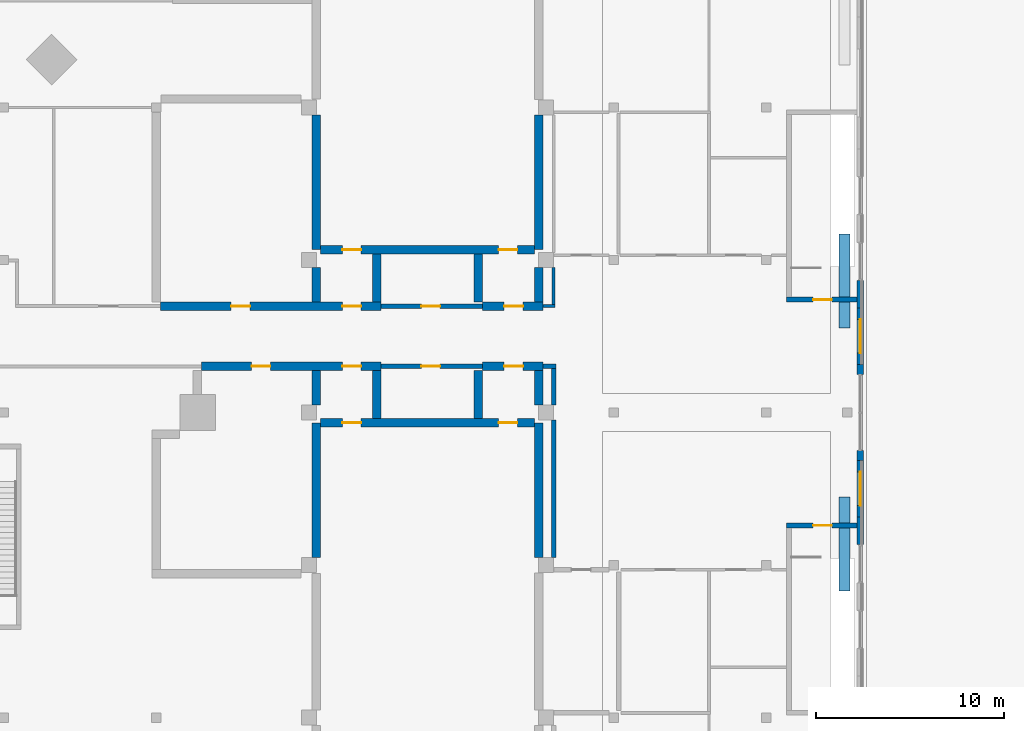
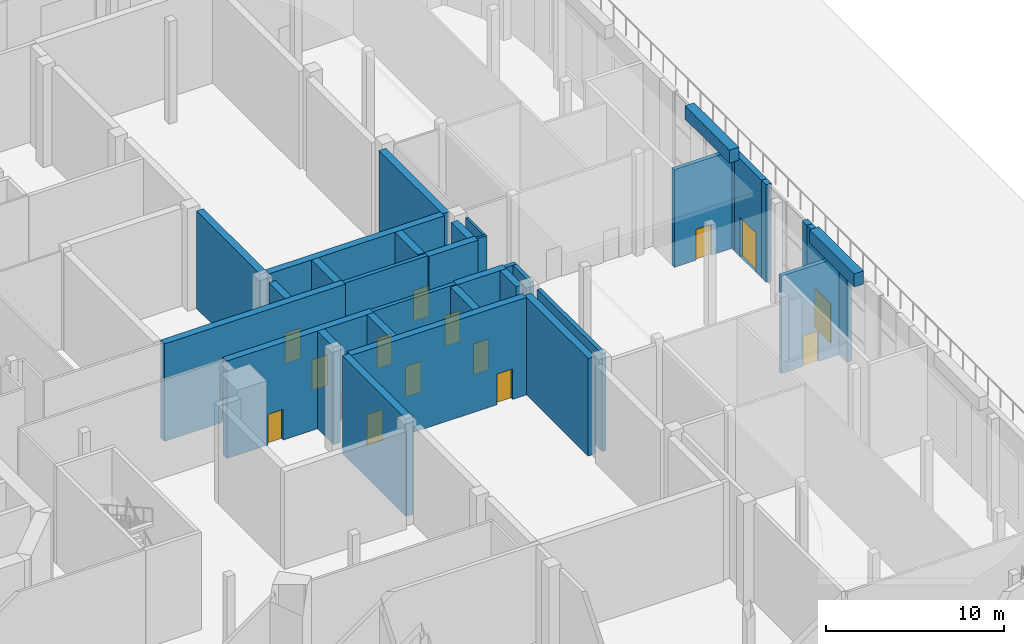
# One storey, part 13 of 21: 35 walls, 16 doors, 16 openings.
"""IFC4 building model written with IfcOpenShell, lengths in metres."""

from ifc_helpers import new_model, si_unit, direction, frame, frame_2d, origin, place, context, subcontext, project, spatial, rectangle, extrude, material, layer, layer_set, type_object, element, fill, save


model = new_model("IFC4")

# Units and contexts
model_context = context("Model", 3, precision=1e-05, world=origin(), true_north=direction((0.0, 1.0)))
body_context = subcontext(model_context, "Body", "Model", "MODEL_VIEW")
ifc_project = project(units=[si_unit("LENGTHUNIT", "METRE"), si_unit("AREAUNIT", "SQUARE_METRE"), si_unit("VOLUMEUNIT", "CUBIC_METRE"), si_unit("PLANEANGLEUNIT", "RADIAN"), si_unit("MASSUNIT", "GRAM", prefix="KILO")], contexts=[model_context])

# Site, building, storey
site_placement = place(None, origin())
site = spatial("IfcSite", under=ifc_project, at=site_placement, CompositionType="ELEMENT")
building_placement = place(site_placement, origin())
building = spatial("IfcBuilding", under=site, at=building_placement, Name="Torre Triforio", CompositionType="ELEMENT")
storey_placement = place(building_placement, frame((0.0, 0.0, 6.0)))
storey = spatial("IfcBuildingStorey", under=building, at=storey_placement, Name="L01", CompositionType="ELEMENT", Elevation=6.0)

# Walls
ifc_material_1 = material(Name="Plasterboard on metal studs")
ifc_layer_1 = layer(ifc_material_1, 0.14990234375)
ifc_layer_set_1 = layer_set([ifc_layer_1], Name="Plasterboard on metal studs")
wall_type_1 = type_object("IfcWallType", Name="Corridor wall 150 EI 60", PredefinedType="PARTITIONING", material=ifc_layer_set_1)
wall_1_placement = place(storey_placement, frame((44.824951171875, 5.64990234375, 0.0), z_axis=(0.0, 0.0, 1.0), x_axis=(1.0, 0.0, 0.0)))
element("IfcWall", 1, at=wall_1_placement, inside=storey, type_object=wall_type_1, Name="Corridor wall L01 073", PredefinedType="PARTITIONING", context=body_context, shape_type="SweptSolid", body=[
    extrude(rectangle(XDim=0.650146484375, YDim=0.14990234375, at=frame_2d((0.3251953125, 0.0))), origin(), (0.0, 0.0, 1.0), 6.679931640625),
])
wall_2_placement = place(storey_placement, frame((45.39990234375, 5.72509765625, 0.0), z_axis=(0.0, 0.0, 1.0), x_axis=(0.0, 1.0, 0.0)))
element("IfcWall", 2, at=wall_2_placement, inside=storey, type_object=wall_type_1, Name="Corridor wall L01 112", PredefinedType="PARTITIONING", context=body_context, shape_type="SweptSolid", body=[
    extrude(rectangle(XDim=1.96484375, YDim=0.14990234375, at=frame_2d((0.982421875, 0.0))), origin(), (0.0, 0.0, 1.0), 6.679931640625),
])

# Wall, opening, door
ifc_material_2 = material(Name="Masonry block", Category="masonry")
ifc_layer_2 = layer(ifc_material_2, 0.25)
ifc_layer_set_2 = layer_set([ifc_layer_2], Name="Masonry block")
wall_type_2 = type_object("IfcWallType", Name="Plant room wall 250 EI 120", PredefinedType="PARTITIONING", material=ifc_layer_set_2)
wall_3_placement = place(storey_placement, frame((36.22509765625, 5.64990234375, 0.0), z_axis=(0.0, 0.0, 1.0), x_axis=(1.0, 0.0, 0.0)))
wall_3 = element("IfcWall", 3, at=wall_3_placement, inside=storey, type_object=wall_type_2, Name="Plant room wall L01 015", PredefinedType="PARTITIONING", context=body_context, shape_type="SweptSolid", body=[
    extrude(rectangle(XDim=5.39990234375, YDim=0.25, at=frame_2d((2.699951171875, 0.0))), origin(), (0.0, 0.0, 1.0), 6.679931640625),
])
opening_1_placement = place(wall_3_placement, frame((2.14990234375, 0.0, 0.0)))
opening_1 = element("IfcOpeningElement", 4, at=opening_1_placement, cuts=wall_3, Name="Opening P1-15", PredefinedType="OPENING", context=body_context, shape_type="SweptSolid", body=[
    extrude(rectangle(XDim=1.0, YDim=2.10009765625, at=frame_2d((0.5, 1.050048828125))), frame((0.0, 0.135009765625, 0.0), z_axis=(0.0, -1.0, 0.0), x_axis=(1.0, 0.0, 0.0)), (0.0, 0.0, 1.0), 0.27001953125),
])
ifc_material_3 = material(Name="Hollow metal fire door leaf")
door_type_1 = type_object("IfcDoorType", Name="Fire door 1000 x 2100 EI 60", OperationType="NOTDEFINED", PredefinedType="DOOR", material=ifc_material_3)
door_1_placement = place(opening_1_placement, origin())
door_1 = element("IfcDoor", 5, at=door_1_placement, inside=storey, type_object=door_type_1, Name="Door P1-15", OperationType="SINGLE_SWING_LEFT", OverallHeight=2.10009765625, OverallWidth=1.0, PredefinedType="DOOR", context=body_context, shape_type="SweptSolid", body=[
    extrude(rectangle(XDim=1.0, YDim=2.10009765625, at=frame_2d((0.5, 1.050048828125))), frame((0.0, 0.02490234375, 0.0), z_axis=(0.0, -1.0, 0.0), x_axis=(1.0, 0.0, 0.0)), (0.0, 0.0, 1.0), 0.050048828125),
])
fill(opening_1, door_1)

wall_4_placement = place(storey_placement, frame((36.22509765625, 2.449951171875, 0.0), z_axis=(0.0, 0.0, 1.0), x_axis=(1.0, 0.0, 0.0)))
wall_4 = element("IfcWall", 6, at=wall_4_placement, inside=storey, type_object=wall_type_2, Name="Plant room wall L01 018", PredefinedType="PARTITIONING", context=body_context, shape_type="SweptSolid", body=[
    extrude(rectangle(XDim=5.39990234375, YDim=0.25, at=frame_2d((2.699951171875, 0.0))), origin(), (0.0, 0.0, 1.0), 6.679931640625),
])
opening_2_placement = place(wall_4_placement, frame((2.14990234375, 0.0, 0.0)))
opening_2 = element("IfcOpeningElement", 7, at=opening_2_placement, cuts=wall_4, Name="Opening P1-16", PredefinedType="OPENING", context=body_context, shape_type="SweptSolid", body=[
    extrude(rectangle(XDim=1.0, YDim=2.10009765625, at=frame_2d((0.5, 1.050048828125))), frame((0.0, 0.135009765625, 0.0), z_axis=(0.0, -1.0, 0.0), x_axis=(1.0, 0.0, 0.0)), (0.0, 0.0, 1.0), 0.27001953125),
])
door_2_placement = place(opening_2_placement, origin())
door_2 = element("IfcDoor", 8, at=door_2_placement, inside=storey, type_object=door_type_1, Name="Door P1-16", OperationType="SINGLE_SWING_LEFT", OverallHeight=2.10009765625, OverallWidth=1.0, PredefinedType="DOOR", context=body_context, shape_type="SweptSolid", body=[
    extrude(rectangle(XDim=1.0, YDim=2.10009765625, at=frame_2d((0.5, 1.050048828125))), frame((0.0, 0.02490234375, 0.0), z_axis=(0.0, -1.0, 0.0), x_axis=(1.0, 0.0, 0.0)), (0.0, 0.0, 1.0), 0.050048828125),
])
fill(opening_2, door_2)

# Walls
wall_5_placement = place(storey_placement, frame((44.824951171875, 2.449951171875, 0.0), z_axis=(0.0, 0.0, 1.0), x_axis=(1.0, 0.0, 0.0)))
element("IfcWall", 9, at=wall_5_placement, inside=storey, type_object=wall_type_2, Name="Plant room wall L01 021", PredefinedType="PARTITIONING", context=body_context, shape_type="SweptSolid", body=[
    extrude(rectangle(XDim=0.699951171875, YDim=0.25, at=frame_2d((0.35009765625, 0.0))), origin(), (0.0, 0.0, 1.0), 6.679931640625),
])
wall_6_placement = place(storey_placement, frame((45.39990234375, -7.68994140625, 0.0), z_axis=(0.0, 0.0, 1.0), x_axis=(0.0, 1.0, 0.0)))
element("IfcWall", 10, at=wall_6_placement, inside=storey, type_object=wall_type_2, Name="Plant room wall L01 024", PredefinedType="PARTITIONING", context=body_context, shape_type="SweptSolid", body=[
    extrude(rectangle(XDim=7.280029296875, YDim=0.25, at=frame_2d((3.64013671875, 0.0))), origin(), (0.0, 0.0, 1.0), 6.679931640625),
])
wall_7_placement = place(storey_placement, frame((45.39990234375, 0.409912109375, 0.0), z_axis=(0.0, 0.0, 1.0), x_axis=(0.0, 1.0, 0.0)))
element("IfcWall", 11, at=wall_7_placement, inside=storey, type_object=wall_type_2, Name="Plant room wall L01 025", PredefinedType="PARTITIONING", context=body_context, shape_type="SweptSolid", body=[
    extrude(rectangle(XDim=1.9150390625, YDim=0.25, at=frame_2d((0.95751953125, 0.0))), origin(), (0.0, 0.0, 1.0), 6.679931640625),
])

# Wall, opening, door
ifc_material_4 = material(Name="Concrete C40", Category="concrete")
ifc_layer_3 = layer(ifc_material_4, 0.25)
ifc_layer_set_3 = layer_set([ifc_layer_3], Name="Concrete C40")
wall_type_3 = type_object("IfcWallType", Name="Stair enclosure wall 250 EI 120", PredefinedType="STANDARD", material=ifc_layer_set_3)
wall_8_placement = place(storey_placement, frame((57.77490234375, 6.0, 0.0), z_axis=(0.0, 0.0, 1.0), x_axis=(1.0, 0.0, 0.0)))
wall_8 = element("IfcWall", 12, at=wall_8_placement, inside=storey, type_object=wall_type_3, Name="Stair enclosure wall L01 119", PredefinedType="STANDARD", context=body_context, shape_type="SweptSolid", body=[
    extrude(rectangle(XDim=3.72509765625, YDim=0.25, at=frame_2d((1.862548828125, 0.0))), origin(), (0.0, 0.0, 1.0), 6.679931640625),
])
opening_3_placement = place(wall_8_placement, frame((1.39990234375, 0.0, 0.0)))
opening_3 = element("IfcOpeningElement", 13, at=opening_3_placement, cuts=wall_8, Name="Opening P1-05", PredefinedType="OPENING", context=body_context, shape_type="SweptSolid", body=[
    extrude(rectangle(XDim=1.0, YDim=2.10009765625, at=frame_2d((0.5, 1.050048828125))), frame((0.0, 0.135009765625, 0.0), z_axis=(0.0, -1.0, 0.0), x_axis=(1.0, 0.0, 0.0)), (0.0, 0.0, 1.0), 0.27001953125),
])
door_type_2 = type_object("IfcDoorType", Name="Stair door 1000 x 2100 EI 90", OperationType="NOTDEFINED", PredefinedType="DOOR", material=ifc_material_3)
door_3_placement = place(opening_3_placement, origin())
door_3 = element("IfcDoor", 14, at=door_3_placement, inside=storey, type_object=door_type_2, Name="Door P1-05", OperationType="SINGLE_SWING_LEFT", OverallHeight=2.10009765625, OverallWidth=1.0, PredefinedType="DOOR", context=body_context, shape_type="SweptSolid", body=[
    extrude(rectangle(XDim=1.0, YDim=2.10009765625, at=frame_2d((0.5, 1.050048828125))), frame((0.0, 0.02490234375, 0.0), z_axis=(0.0, -1.0, 0.0), x_axis=(1.0, 0.0, 0.0)), (0.0, 0.0, 1.0), 0.050048828125),
])
fill(opening_3, door_3)

wall_9_placement = place(storey_placement, frame((57.77490234375, -6.0, 0.0), z_axis=(0.0, 0.0, 1.0), x_axis=(1.0, 0.0, 0.0)))
wall_9 = element("IfcWall", 15, at=wall_9_placement, inside=storey, type_object=wall_type_3, Name="Stair enclosure wall L01 121", PredefinedType="STANDARD", context=body_context, shape_type="SweptSolid", body=[
    extrude(rectangle(XDim=3.72509765625, YDim=0.25, at=frame_2d((1.862548828125, 0.0))), origin(), (0.0, 0.0, 1.0), 6.679931640625),
])
opening_4_placement = place(wall_9_placement, frame((1.39990234375, 0.0, 0.0)))
opening_4 = element("IfcOpeningElement", 16, at=opening_4_placement, cuts=wall_9, Name="Opening P1-06", PredefinedType="OPENING", context=body_context, shape_type="SweptSolid", body=[
    extrude(rectangle(XDim=1.0, YDim=2.10009765625, at=frame_2d((0.5, 1.050048828125))), frame((0.0, 0.135009765625, 0.0), z_axis=(0.0, -1.0, 0.0), x_axis=(1.0, 0.0, 0.0)), (0.0, 0.0, 1.0), 0.27001953125),
])
door_4_placement = place(opening_4_placement, origin())
door_4 = element("IfcDoor", 17, at=door_4_placement, inside=storey, type_object=door_type_2, Name="Door P1-06", OperationType="SINGLE_SWING_LEFT", OverallHeight=2.10009765625, OverallWidth=1.0, PredefinedType="DOOR", context=body_context, shape_type="SweptSolid", body=[
    extrude(rectangle(XDim=1.0, YDim=2.10009765625, at=frame_2d((0.5, 1.050048828125))), frame((0.0, 0.02490234375, 0.0), z_axis=(0.0, -1.0, 0.0), x_axis=(1.0, 0.0, 0.0)), (0.0, 0.0, 1.0), 0.050048828125),
])
fill(opening_4, door_4)

# Wall
ifc_material_5 = material(Name="Limestone cladding", Category="masonry")
ifc_layer_4 = layer(ifc_material_5, 0.10009765625)
ifc_layer_5 = layer(ifc_material_4, 0.25)
ifc_layer_set_4 = layer_set([ifc_layer_4, ifc_layer_5], Name="Limestone cladding / Concrete C40")
wall_type_4 = type_object("IfcWallType", Name="Stone-clad podium wall 350", PredefinedType="STANDARD", material=ifc_layer_set_4)
wall_10_placement = place(storey_placement, frame((61.675048828125, -7.0166015625, 0.0), z_axis=(0.0, 0.0, 1.0), x_axis=(0.0, 1.0, 0.0)))
element("IfcWall", 18, at=wall_10_placement, inside=storey, type_object=wall_type_4, Name="External wall L01 e08.0.1.g2", PredefinedType="STANDARD", context=body_context, shape_type="SweptSolid", body=[
    extrude(rectangle(XDim=1.466552734375, YDim=0.35009765625, at=frame_2d((0.7333984375, 0.0))), origin(), (0.0, 0.0, 1.0), 6.679931640625),
])

# Wall, opening, door
wall_11_placement = place(storey_placement, frame((61.675048828125, -5.550048828125, 0.0), z_axis=(0.0, 0.0, 1.0), x_axis=(0.0, 1.0, 0.0)))
wall_11 = element("IfcWall", 19, at=wall_11_placement, inside=storey, type_object=wall_type_4, Name="External wall L01 e08.1", PredefinedType="STANDARD", context=body_context, shape_type="SweptSolid", body=[
    extrude(rectangle(XDim=3.0, YDim=0.35009765625, at=frame_2d((1.5, 0.0))), origin(), (0.0, 0.0, 1.0), 6.679931640625),
])
opening_5_placement = place(wall_11_placement, frame((0.60009765625, 0.0, 0.0)))
opening_5 = element("IfcOpeningElement", 20, at=opening_5_placement, cuts=wall_11, Name="Opening P1-57", PredefinedType="OPENING", context=body_context, shape_type="SweptSolid", body=[
    extrude(rectangle(XDim=1.800048828125, YDim=2.699951171875, at=frame_2d((0.89990234375, 1.35009765625))), frame((0.0, 0.18505859375, 0.0), z_axis=(0.0, -1.0, 0.0), x_axis=(1.0, 0.0, 0.0)), (0.0, 0.0, 1.0), 0.3701171875),
])
ifc_material_6 = material(Name="Glazed aluminium door", Category="aluminium")
door_type_3 = type_object("IfcDoorType", Name="Terrace double door 1800 x 2700", OperationType="NOTDEFINED", PredefinedType="DOOR", material=ifc_material_6)
door_5_placement = place(opening_5_placement, origin())
door_5 = element("IfcDoor", 21, at=door_5_placement, inside=storey, type_object=door_type_3, Name="Door P1-57", OperationType="SINGLE_SWING_LEFT", OverallHeight=2.699951171875, OverallWidth=1.800048828125, PredefinedType="DOOR", context=body_context, shape_type="SweptSolid", body=[
    extrude(rectangle(XDim=1.800048828125, YDim=2.699951171875, at=frame_2d((0.89990234375, 1.35009765625))), frame((0.0, 0.02490234375, 0.0), z_axis=(0.0, -1.0, 0.0), x_axis=(1.0, 0.0, 0.0)), (0.0, 0.0, 1.0), 0.050048828125),
])
fill(opening_5, door_5)

# Walls
for number, where, z_axis, x_axis, name in (
    (22, (61.675048828125, -2.550048828125, 0.0), (0.0, 0.0, 1.0), (0.0, 1.0, 0.0), "External wall L01 e08.2.g0"),
    (23, (61.675048828125, 2.02490234375, 0.0), (0.0, 0.0, 1.0), (0.0, 1.0, 0.0), "External wall L01 e08.2.g1"),
):
    element("IfcWall", number, at=place(storey_placement, frame(where, z_axis=z_axis, x_axis=x_axis)), inside=storey, type_object=wall_type_4, Name=name, PredefinedType="STANDARD", context=body_context, shape_type="SweptSolid", body=[
        extrude(rectangle(XDim=0.525146484375, YDim=0.35009765625, at=frame_2d((0.2626953125, 0.0))), origin(), (0.0, 0.0, 1.0), 6.679931640625),
    ])

# Wall, opening, door
wall_12_placement = place(storey_placement, frame((61.675048828125, 2.550048828125, 0.0), z_axis=(0.0, 0.0, 1.0), x_axis=(0.0, 1.0, 0.0)))
wall_12 = element("IfcWall", 24, at=wall_12_placement, inside=storey, type_object=wall_type_4, Name="External wall L01 e08.3", PredefinedType="STANDARD", context=body_context, shape_type="SweptSolid", body=[
    extrude(rectangle(XDim=3.0, YDim=0.35009765625, at=frame_2d((1.5, 0.0))), origin(), (0.0, 0.0, 1.0), 6.679931640625),
])
opening_6_placement = place(wall_12_placement, frame((0.60009765625, 0.0, 0.0)))
opening_6 = element("IfcOpeningElement", 25, at=opening_6_placement, cuts=wall_12, Name="Opening P1-58", PredefinedType="OPENING", context=body_context, shape_type="SweptSolid", body=[
    extrude(rectangle(XDim=1.800048828125, YDim=2.699951171875, at=frame_2d((0.89990234375, 1.35009765625))), frame((0.0, 0.18505859375, 0.0), z_axis=(0.0, -1.0, 0.0), x_axis=(1.0, 0.0, 0.0)), (0.0, 0.0, 1.0), 0.3701171875),
])
door_6_placement = place(opening_6_placement, origin())
door_6 = element("IfcDoor", 26, at=door_6_placement, inside=storey, type_object=door_type_3, Name="Door P1-58", OperationType="SINGLE_SWING_LEFT", OverallHeight=2.699951171875, OverallWidth=1.800048828125, PredefinedType="DOOR", context=body_context, shape_type="SweptSolid", body=[
    extrude(rectangle(XDim=1.800048828125, YDim=2.699951171875, at=frame_2d((0.89990234375, 1.35009765625))), frame((0.0, 0.02490234375, 0.0), z_axis=(0.0, -1.0, 0.0), x_axis=(1.0, 0.0, 0.0)), (0.0, 0.0, 1.0), 0.050048828125),
])
fill(opening_6, door_6)

# Walls
wall_13_placement = place(storey_placement, frame((61.675048828125, 5.550048828125, 0.0), z_axis=(0.0, 0.0, 1.0), x_axis=(0.0, 1.0, 0.0)))
element("IfcWall", 27, at=wall_13_placement, inside=storey, type_object=wall_type_4, Name="External wall L01 e08.4.0.g0", PredefinedType="STANDARD", context=body_context, shape_type="SweptSolid", body=[
    extrude(rectangle(XDim=1.466552734375, YDim=0.35009765625, at=frame_2d((0.7333984375, 0.0))), origin(), (0.0, 0.0, 1.0), 6.679931640625),
])
ifc_material_7 = material(Name="Double leaf masonry acoustic wall", Category="masonry")
ifc_layer_6 = layer(ifc_material_7, 0.449951171875)
ifc_layer_set_5 = layer_set([ifc_layer_6], Name="Double leaf masonry acoustic wall")
wall_type_5 = type_object("IfcWallType", Name="Studio sound wall 450 EI 60", PredefinedType="PARTITIONING", material=ifc_layer_set_5)
for number, where, z_axis, x_axis, name in (
    (28, (36.0, 5.875, 0.0), (0.0, 0.0, 1.0), (0.0, 1.0, 0.0), "Studio sound wall L01 016"),
    (29, (41.39990234375, 5.875, 0.0), (0.0, 0.0, 1.0), (0.0, 1.0, 0.0), "Studio sound wall L01 017"),
    (30, (36.0, -0.324951171875, 0.0), (0.0, 0.0, 1.0), (0.0, 1.0, 0.0), "Studio sound wall L01 019"),
    (31, (41.39990234375, -0.324951171875, 0.0), (0.0, 0.0, 1.0), (0.0, 1.0, 0.0), "Studio sound wall L01 020"),
):
    element("IfcWall", number, at=place(storey_placement, frame(where, z_axis=z_axis, x_axis=x_axis)), inside=storey, type_object=wall_type_5, Name=name, PredefinedType="PARTITIONING", context=body_context, shape_type="SweptSolid", body=[
        extrude(rectangle(XDim=2.550048828125, YDim=0.449951171875, at=frame_2d((1.27490234375, 0.0))), origin(), (0.0, 0.0, 1.0), 6.679931640625),
    ])
wall_14_placement = place(storey_placement, frame((44.60009765625, 0.409912109375, 0.0), z_axis=(0.0, 0.0, 1.0), x_axis=(0.0, 1.0, 0.0)))
element("IfcWall", 32, at=wall_14_placement, inside=storey, type_object=wall_type_5, Name="Studio sound wall L01 022", PredefinedType="PARTITIONING", context=body_context, shape_type="SweptSolid", body=[
    extrude(rectangle(XDim=1.815185546875, YDim=0.449951171875, at=frame_2d((0.90771484375, 0.0))), origin(), (0.0, 0.0, 1.0), 6.679931640625),
])
wall_15_placement = place(storey_placement, frame((44.60009765625, -7.68994140625, 0.0), z_axis=(0.0, 0.0, 1.0), x_axis=(0.0, 1.0, 0.0)))
element("IfcWall", 33, at=wall_15_placement, inside=storey, type_object=wall_type_5, Name="Studio sound wall L01 029", PredefinedType="PARTITIONING", context=body_context, shape_type="SweptSolid", body=[
    extrude(rectangle(XDim=7.139892578125, YDim=0.449951171875, at=frame_2d((3.56982421875, 0.0))), origin(), (0.0, 0.0, 1.0), 6.679931640625),
])

# Wall, openings, doors
wall_16_placement = place(storey_placement, frame((24.52490234375, 5.64990234375, 0.0), z_axis=(0.0, 0.0, 1.0), x_axis=(1.0, 0.0, 0.0)))
wall_16 = element("IfcWall", 34, at=wall_16_placement, inside=storey, type_object=wall_type_5, Name="Studio sound wall L01 032", PredefinedType="PARTITIONING", context=body_context, shape_type="SweptSolid", body=[
    extrude(rectangle(XDim=11.7001953125, YDim=0.449951171875, at=frame_2d((5.85009765625, 0.0))), origin(), (0.0, 0.0, 1.0), 6.679931640625),
])
opening_7_placement = place(wall_16_placement, frame((9.64990234375, 0.0, 0.0)))
opening_7 = element("IfcOpeningElement", 35, at=opening_7_placement, cuts=wall_16, Name="Opening P1-07", PredefinedType="OPENING", context=body_context, shape_type="SweptSolid", body=[
    extrude(rectangle(XDim=1.0, YDim=2.10009765625, at=frame_2d((0.5, 1.050048828125))), frame((0.0, 0.23486328125, 0.0), z_axis=(0.0, -1.0, 0.0), x_axis=(1.0, 0.0, 0.0)), (0.0, 0.0, 1.0), 0.469970703125),
])
opening_8_placement = place(wall_16_placement, frame((3.75, 0.0, 0.0)))
opening_8 = element("IfcOpeningElement", 36, at=opening_8_placement, cuts=wall_16, Name="Opening P1-17", PredefinedType="OPENING", context=body_context, shape_type="SweptSolid", body=[
    extrude(rectangle(XDim=1.0, YDim=2.10009765625, at=frame_2d((0.5, 1.050048828125))), frame((0.0, 0.23486328125, 0.0), z_axis=(0.0, -1.0, 0.0), x_axis=(1.0, 0.0, 0.0)), (0.0, 0.0, 1.0), 0.469970703125),
])
ifc_material_8 = material(Name="Acoustic timber door leaf", Category="wood")
door_type_4 = type_object("IfcDoorType", Name="Acoustic door 1000 x 2100 EI 60", OperationType="NOTDEFINED", PredefinedType="DOOR", material=ifc_material_8)
door_7_placement = place(opening_7_placement, origin())
door_7 = element("IfcDoor", 37, at=door_7_placement, inside=storey, type_object=door_type_4, Name="Door P1-07", OperationType="SINGLE_SWING_LEFT", OverallHeight=2.10009765625, OverallWidth=1.0, PredefinedType="DOOR", context=body_context, shape_type="SweptSolid", body=[
    extrude(rectangle(XDim=1.0, YDim=2.10009765625, at=frame_2d((0.5, 1.050048828125))), frame((0.0, 0.02490234375, 0.0), z_axis=(0.0, -1.0, 0.0), x_axis=(1.0, 0.0, 0.0)), (0.0, 0.0, 1.0), 0.050048828125),
])
fill(opening_7, door_7)
door_8_placement = place(opening_8_placement, origin())
door_8 = element("IfcDoor", 38, at=door_8_placement, inside=storey, type_object=door_type_4, Name="Door P1-17", OperationType="SINGLE_SWING_LEFT", OverallHeight=2.10009765625, OverallWidth=1.0, PredefinedType="DOOR", context=body_context, shape_type="SweptSolid", body=[
    extrude(rectangle(XDim=1.0, YDim=2.10009765625, at=frame_2d((0.5, 1.050048828125))), frame((0.0, 0.02490234375, 0.0), z_axis=(0.0, -1.0, 0.0), x_axis=(1.0, 0.0, 0.0)), (0.0, 0.0, 1.0), 0.050048828125),
])
fill(opening_8, door_8)

# Walls
wall_17_placement = place(storey_placement, frame((32.800048828125, 5.875, 0.0), z_axis=(0.0, 0.0, 1.0), x_axis=(0.0, 1.0, 0.0)))
element("IfcWall", 39, at=wall_17_placement, inside=storey, type_object=wall_type_5, Name="Studio sound wall L01 033", PredefinedType="PARTITIONING", context=body_context, shape_type="SweptSolid", body=[
    extrude(rectangle(XDim=1.81494140625, YDim=0.449951171875, at=frame_2d((0.907470703125, 0.0))), origin(), (0.0, 0.0, 1.0), 6.679931640625),
])
wall_18_placement = place(storey_placement, frame((32.800048828125, 8.64990234375, 0.0), z_axis=(0.0, 0.0, 1.0), x_axis=(0.0, 1.0, 0.0)))
element("IfcWall", 40, at=wall_18_placement, inside=storey, type_object=wall_type_5, Name="Studio sound wall L01 035", PredefinedType="PARTITIONING", context=body_context, shape_type="SweptSolid", body=[
    extrude(rectangle(XDim=7.14013671875, YDim=0.449951171875, at=frame_2d((3.570068359375, 0.0))), origin(), (0.0, 0.0, 1.0), 6.679931640625),
])

# Wall, openings, doors
wall_19_placement = place(storey_placement, frame((26.705078125, 2.449951171875, 0.0), z_axis=(0.0, 0.0, 1.0), x_axis=(1.0, 0.0, 0.0)))
wall_19 = element("IfcWall", 41, at=wall_19_placement, inside=storey, type_object=wall_type_5, Name="Studio sound wall L01 036", PredefinedType="PARTITIONING", context=body_context, shape_type="SweptSolid", body=[
    extrude(rectangle(XDim=9.52001953125, YDim=0.449951171875, at=frame_2d((4.760009765625, 0.0))), origin(), (0.0, 0.0, 1.0), 6.679931640625),
])
opening_9_placement = place(wall_19_placement, frame((7.469970703125, 0.0, 0.0)))
opening_9 = element("IfcOpeningElement", 42, at=opening_9_placement, cuts=wall_19, Name="Opening P1-11", PredefinedType="OPENING", context=body_context, shape_type="SweptSolid", body=[
    extrude(rectangle(XDim=1.0, YDim=2.10009765625, at=frame_2d((0.5, 1.050048828125))), frame((0.0, 0.23486328125, 0.0), z_axis=(0.0, -1.0, 0.0), x_axis=(1.0, 0.0, 0.0)), (0.0, 0.0, 1.0), 0.469970703125),
])
opening_10_placement = place(wall_19_placement, frame((2.64990234375, 0.0, 0.0)))
opening_10 = element("IfcOpeningElement", 43, at=opening_10_placement, cuts=wall_19, Name="Opening P1-18", PredefinedType="OPENING", context=body_context, shape_type="SweptSolid", body=[
    extrude(rectangle(XDim=1.0, YDim=2.10009765625, at=frame_2d((0.5, 1.050048828125))), frame((0.0, 0.23486328125, 0.0), z_axis=(0.0, -1.0, 0.0), x_axis=(1.0, 0.0, 0.0)), (0.0, 0.0, 1.0), 0.469970703125),
])
door_9_placement = place(opening_9_placement, origin())
door_9 = element("IfcDoor", 44, at=door_9_placement, inside=storey, type_object=door_type_4, Name="Door P1-11", OperationType="SINGLE_SWING_LEFT", OverallHeight=2.10009765625, OverallWidth=1.0, PredefinedType="DOOR", context=body_context, shape_type="SweptSolid", body=[
    extrude(rectangle(XDim=1.0, YDim=2.10009765625, at=frame_2d((0.5, 1.050048828125))), frame((0.0, 0.02490234375, 0.0), z_axis=(0.0, -1.0, 0.0), x_axis=(1.0, 0.0, 0.0)), (0.0, 0.0, 1.0), 0.050048828125),
])
fill(opening_9, door_9)
door_10_placement = place(opening_10_placement, origin())
door_10 = element("IfcDoor", 45, at=door_10_placement, inside=storey, type_object=door_type_4, Name="Door P1-18", OperationType="SINGLE_SWING_LEFT", OverallHeight=2.10009765625, OverallWidth=1.0, PredefinedType="DOOR", context=body_context, shape_type="SweptSolid", body=[
    extrude(rectangle(XDim=1.0, YDim=2.10009765625, at=frame_2d((0.5, 1.050048828125))), frame((0.0, 0.02490234375, 0.0), z_axis=(0.0, -1.0, 0.0), x_axis=(1.0, 0.0, 0.0)), (0.0, 0.0, 1.0), 0.050048828125),
])
fill(opening_10, door_10)

# Walls
wall_20_placement = place(storey_placement, frame((32.800048828125, 0.409912109375, 0.0), z_axis=(0.0, 0.0, 1.0), x_axis=(0.0, 1.0, 0.0)))
element("IfcWall", 46, at=wall_20_placement, inside=storey, type_object=wall_type_5, Name="Studio sound wall L01 037", PredefinedType="PARTITIONING", context=body_context, shape_type="SweptSolid", body=[
    extrude(rectangle(XDim=1.815185546875, YDim=0.449951171875, at=frame_2d((0.90771484375, 0.0))), origin(), (0.0, 0.0, 1.0), 6.679931640625),
])
wall_21_placement = place(storey_placement, frame((32.800048828125, -7.68994140625, 0.0), z_axis=(0.0, 0.0, 1.0), x_axis=(0.0, 1.0, 0.0)))
element("IfcWall", 47, at=wall_21_placement, inside=storey, type_object=wall_type_5, Name="Studio sound wall L01 042", PredefinedType="PARTITIONING", context=body_context, shape_type="SweptSolid", body=[
    extrude(rectangle(XDim=7.139892578125, YDim=0.449951171875, at=frame_2d((3.56982421875, 0.0))), origin(), (0.0, 0.0, 1.0), 6.679931640625),
])

# Wall, opening, door
wall_22_placement = place(storey_placement, frame((41.625, 5.64990234375, 0.0), z_axis=(0.0, 0.0, 1.0), x_axis=(1.0, 0.0, 0.0)))
wall_22 = element("IfcWall", 48, at=wall_22_placement, inside=storey, type_object=wall_type_5, Name="Studio sound wall L01 074", PredefinedType="PARTITIONING", context=body_context, shape_type="SweptSolid", body=[
    extrude(rectangle(XDim=3.199951171875, YDim=0.449951171875, at=frame_2d((1.60009765625, 0.0))), origin(), (0.0, 0.0, 1.0), 6.679931640625),
])
opening_11_placement = place(wall_22_placement, frame((1.14990234375, 0.0, 0.0)))
opening_11 = element("IfcOpeningElement", 49, at=opening_11_placement, cuts=wall_22, Name="Opening P1-09", PredefinedType="OPENING", context=body_context, shape_type="SweptSolid", body=[
    extrude(rectangle(XDim=1.0, YDim=2.10009765625, at=frame_2d((0.5, 1.050048828125))), frame((0.0, 0.23486328125, 0.0), z_axis=(0.0, -1.0, 0.0), x_axis=(1.0, 0.0, 0.0)), (0.0, 0.0, 1.0), 0.469970703125),
])
door_11_placement = place(opening_11_placement, origin())
door_11 = element("IfcDoor", 50, at=door_11_placement, inside=storey, type_object=door_type_4, Name="Door P1-09", OperationType="SINGLE_SWING_LEFT", OverallHeight=2.10009765625, OverallWidth=1.0, PredefinedType="DOOR", context=body_context, shape_type="SweptSolid", body=[
    extrude(rectangle(XDim=1.0, YDim=2.10009765625, at=frame_2d((0.5, 1.050048828125))), frame((0.0, 0.02490234375, 0.0), z_axis=(0.0, -1.0, 0.0), x_axis=(1.0, 0.0, 0.0)), (0.0, 0.0, 1.0), 0.050048828125),
])
fill(opening_11, door_11)

wall_23_placement = place(storey_placement, frame((41.625, 2.449951171875, 0.0), z_axis=(0.0, 0.0, 1.0), x_axis=(1.0, 0.0, 0.0)))
wall_23 = element("IfcWall", 51, at=wall_23_placement, inside=storey, type_object=wall_type_5, Name="Studio sound wall L01 075", PredefinedType="PARTITIONING", context=body_context, shape_type="SweptSolid", body=[
    extrude(rectangle(XDim=3.199951171875, YDim=0.449951171875, at=frame_2d((1.60009765625, 0.0))), origin(), (0.0, 0.0, 1.0), 6.679931640625),
])
opening_12_placement = place(wall_23_placement, frame((1.14990234375, 0.0, 0.0)))
opening_12 = element("IfcOpeningElement", 52, at=opening_12_placement, cuts=wall_23, Name="Opening P1-13", PredefinedType="OPENING", context=body_context, shape_type="SweptSolid", body=[
    extrude(rectangle(XDim=1.0, YDim=2.10009765625, at=frame_2d((0.5, 1.050048828125))), frame((0.0, 0.23486328125, 0.0), z_axis=(0.0, -1.0, 0.0), x_axis=(1.0, 0.0, 0.0)), (0.0, 0.0, 1.0), 0.469970703125),
])
door_12_placement = place(opening_12_placement, origin())
door_12 = element("IfcDoor", 53, at=door_12_placement, inside=storey, type_object=door_type_4, Name="Door P1-13", OperationType="SINGLE_SWING_LEFT", OverallHeight=2.10009765625, OverallWidth=1.0, PredefinedType="DOOR", context=body_context, shape_type="SweptSolid", body=[
    extrude(rectangle(XDim=1.0, YDim=2.10009765625, at=frame_2d((0.5, 1.050048828125))), frame((0.0, 0.02490234375, 0.0), z_axis=(0.0, -1.0, 0.0), x_axis=(1.0, 0.0, 0.0)), (0.0, 0.0, 1.0), 0.050048828125),
])
fill(opening_12, door_12)

# Walls
wall_24_placement = place(storey_placement, frame((44.60009765625, 5.875, 0.0), z_axis=(0.0, 0.0, 1.0), x_axis=(0.0, 1.0, 0.0)))
element("IfcWall", 54, at=wall_24_placement, inside=storey, type_object=wall_type_5, Name="Studio sound wall L01 111", PredefinedType="PARTITIONING", context=body_context, shape_type="SweptSolid", body=[
    extrude(rectangle(XDim=1.81494140625, YDim=0.449951171875, at=frame_2d((0.907470703125, 0.0))), origin(), (0.0, 0.0, 1.0), 6.679931640625),
])
wall_25_placement = place(storey_placement, frame((44.60009765625, 8.64990234375, 0.0), z_axis=(0.0, 0.0, 1.0), x_axis=(0.0, 1.0, 0.0)))
element("IfcWall", 55, at=wall_25_placement, inside=storey, type_object=wall_type_5, Name="Studio sound wall L01 114", PredefinedType="PARTITIONING", context=body_context, shape_type="SweptSolid", body=[
    extrude(rectangle(XDim=7.14013671875, YDim=0.449951171875, at=frame_2d((3.570068359375, 0.0))), origin(), (0.0, 0.0, 1.0), 6.679931640625),
])

# Wall, openings, doors
wall_26_placement = place(storey_placement, frame((33.02490234375, 8.64990234375, 0.0), z_axis=(0.0, 0.0, 1.0), x_axis=(1.0, 0.0, 0.0)))
wall_26 = element("IfcWall", 56, at=wall_26_placement, inside=storey, type_object=wall_type_5, Name="Studio sound wall L01 117", PredefinedType="PARTITIONING", context=body_context, shape_type="SweptSolid", body=[
    extrude(rectangle(XDim=11.35009765625, YDim=0.449951171875, at=frame_2d((5.675048828125, 0.0))), origin(), (0.0, 0.0, 1.0), 6.679931640625),
])
opening_13_placement = place(wall_26_placement, frame((1.14990234375, 0.0, 0.0)))
opening_13 = element("IfcOpeningElement", 57, at=opening_13_placement, cuts=wall_26, Name="Opening P1-08", PredefinedType="OPENING", context=body_context, shape_type="SweptSolid", body=[
    extrude(rectangle(XDim=1.0, YDim=2.10009765625, at=frame_2d((0.5, 1.050048828125))), frame((0.0, 0.23486328125, 0.0), z_axis=(0.0, -1.0, 0.0), x_axis=(1.0, 0.0, 0.0)), (0.0, 0.0, 1.0), 0.469970703125),
])
opening_14_placement = place(wall_26_placement, frame((9.449951171875, 0.0, 0.0)))
opening_14 = element("IfcOpeningElement", 58, at=opening_14_placement, cuts=wall_26, Name="Opening P1-10", PredefinedType="OPENING", context=body_context, shape_type="SweptSolid", body=[
    extrude(rectangle(XDim=1.0, YDim=2.10009765625, at=frame_2d((0.5, 1.050048828125))), frame((0.0, 0.23486328125, 0.0), z_axis=(0.0, -1.0, 0.0), x_axis=(1.0, 0.0, 0.0)), (0.0, 0.0, 1.0), 0.469970703125),
])
door_13_placement = place(opening_13_placement, origin())
door_13 = element("IfcDoor", 59, at=door_13_placement, inside=storey, type_object=door_type_4, Name="Door P1-08", OperationType="SINGLE_SWING_LEFT", OverallHeight=2.10009765625, OverallWidth=1.0, PredefinedType="DOOR", context=body_context, shape_type="SweptSolid", body=[
    extrude(rectangle(XDim=1.0, YDim=2.10009765625, at=frame_2d((0.5, 1.050048828125))), frame((0.0, 0.02490234375, 0.0), z_axis=(0.0, -1.0, 0.0), x_axis=(1.0, 0.0, 0.0)), (0.0, 0.0, 1.0), 0.050048828125),
])
fill(opening_13, door_13)
door_14_placement = place(opening_14_placement, origin())
door_14 = element("IfcDoor", 60, at=door_14_placement, inside=storey, type_object=door_type_4, Name="Door P1-10", OperationType="SINGLE_SWING_LEFT", OverallHeight=2.10009765625, OverallWidth=1.0, PredefinedType="DOOR", context=body_context, shape_type="SweptSolid", body=[
    extrude(rectangle(XDim=1.0, YDim=2.10009765625, at=frame_2d((0.5, 1.050048828125))), frame((0.0, 0.02490234375, 0.0), z_axis=(0.0, -1.0, 0.0), x_axis=(1.0, 0.0, 0.0)), (0.0, 0.0, 1.0), 0.050048828125),
])
fill(opening_14, door_14)

wall_27_placement = place(storey_placement, frame((33.02490234375, -0.550048828125, 0.0), z_axis=(0.0, 0.0, 1.0), x_axis=(1.0, 0.0, 0.0)))
wall_27 = element("IfcWall", 61, at=wall_27_placement, inside=storey, type_object=wall_type_5, Name="Studio sound wall L01 118", PredefinedType="PARTITIONING", context=body_context, shape_type="SweptSolid", body=[
    extrude(rectangle(XDim=11.35009765625, YDim=0.449951171875, at=frame_2d((5.675048828125, 0.0))), origin(), (0.0, 0.0, 1.0), 6.679931640625),
])
opening_15_placement = place(wall_27_placement, frame((1.14990234375, 0.0, 0.0)))
opening_15 = element("IfcOpeningElement", 62, at=opening_15_placement, cuts=wall_27, Name="Opening P1-12", PredefinedType="OPENING", context=body_context, shape_type="SweptSolid", body=[
    extrude(rectangle(XDim=1.0, YDim=2.10009765625, at=frame_2d((0.5, 1.050048828125))), frame((0.0, 0.23486328125, 0.0), z_axis=(0.0, -1.0, 0.0), x_axis=(1.0, 0.0, 0.0)), (0.0, 0.0, 1.0), 0.469970703125),
])
opening_16_placement = place(wall_27_placement, frame((9.449951171875, 0.0, 0.0)))
opening_16 = element("IfcOpeningElement", 63, at=opening_16_placement, cuts=wall_27, Name="Opening P1-14", PredefinedType="OPENING", context=body_context, shape_type="SweptSolid", body=[
    extrude(rectangle(XDim=1.0, YDim=2.10009765625, at=frame_2d((0.5, 1.050048828125))), frame((0.0, 0.23486328125, 0.0), z_axis=(0.0, -1.0, 0.0), x_axis=(1.0, 0.0, 0.0)), (0.0, 0.0, 1.0), 0.469970703125),
])
door_15_placement = place(opening_15_placement, origin())
door_15 = element("IfcDoor", 64, at=door_15_placement, inside=storey, type_object=door_type_4, Name="Door P1-12", OperationType="SINGLE_SWING_LEFT", OverallHeight=2.10009765625, OverallWidth=1.0, PredefinedType="DOOR", context=body_context, shape_type="SweptSolid", body=[
    extrude(rectangle(XDim=1.0, YDim=2.10009765625, at=frame_2d((0.5, 1.050048828125))), frame((0.0, 0.02490234375, 0.0), z_axis=(0.0, -1.0, 0.0), x_axis=(1.0, 0.0, 0.0)), (0.0, 0.0, 1.0), 0.050048828125),
])
fill(opening_15, door_15)
door_16_placement = place(opening_16_placement, origin())
door_16 = element("IfcDoor", 65, at=door_16_placement, inside=storey, type_object=door_type_4, Name="Door P1-14", OperationType="SINGLE_SWING_LEFT", OverallHeight=2.10009765625, OverallWidth=1.0, PredefinedType="DOOR", context=body_context, shape_type="SweptSolid", body=[
    extrude(rectangle(XDim=1.0, YDim=2.10009765625, at=frame_2d((0.5, 1.050048828125))), frame((0.0, 0.02490234375, 0.0), z_axis=(0.0, -1.0, 0.0), x_axis=(1.0, 0.0, 0.0)), (0.0, 0.0, 1.0), 0.050048828125),
])
fill(opening_16, door_16)

# Walls
ifc_layer_7 = layer(ifc_material_5, 0.10009765625)
ifc_layer_8 = layer(ifc_material_4, 0.5)
ifc_layer_set_6 = layer_set([ifc_layer_7, ifc_layer_8], Name="Limestone cladding / Concrete C40")
wall_type_6 = type_object("IfcWallType", Name="Terrace planter wall 600", PredefinedType="PARAPET", material=ifc_layer_set_6)
for number, where, z_axis, x_axis, name in (
    (66, (60.85009765625, -9.48583984375, 7.0), (0.0, 0.0, 1.0), (0.0, 1.0, 0.0), "Terrace T2 planter 09.2"),
    (67, (60.85009765625, 4.48583984375, 7.0), (0.0, 0.0, 1.0), (0.0, 1.0, 0.0), "Terrace T2 planter 09.3"),
):
    element("IfcWall", number, at=place(storey_placement, frame(where, z_axis=z_axis, x_axis=x_axis)), inside=storey, type_object=wall_type_6, Name=name, PredefinedType="PARAPET", context=body_context, shape_type="SweptSolid", body=[
        extrude(rectangle(XDim=5.0, YDim=0.60009765625, at=frame_2d((2.5, 0.0))), origin(), (0.0, 0.0, 1.0), 0.89990234375),
    ])

save(model, "model.ifc")
